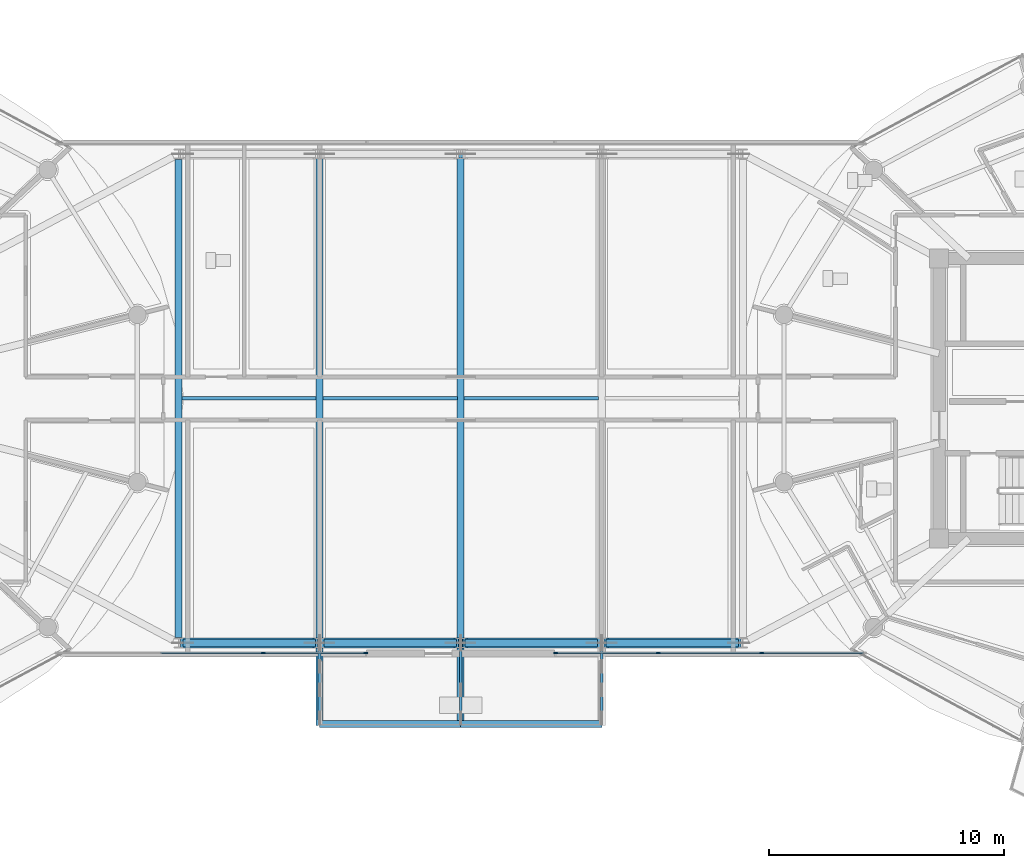
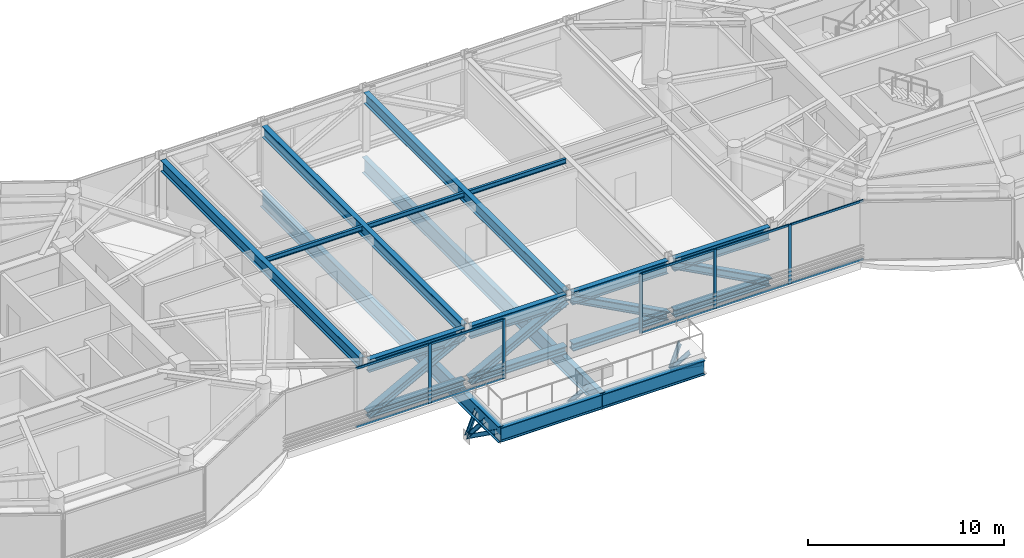
# One storey, part 6 of 31: 31 members, 14 beams, 2 elements without a shape of their own.
"""IFC4 building model written with IfcOpenShell, lengths in metres."""

from ifc_helpers import new_model, si_unit, direction, frame, origin, origin_2d, place, context, subcontext, project, spatial, rectangle, i_section, extrude, source, transform, mapped, material, layer, layer_set, material_profile, profile_set, type_object, type_shapes, element, aggregate, save


model = new_model("IFC4")

# Units and contexts
model_context = context("Model", 3, precision=1e-05, world=origin(), true_north=direction((0.0, 1.0)))
body_context = subcontext(model_context, "Body", "Model", "MODEL_VIEW")
ifc_project = project(units=[si_unit("LENGTHUNIT", "METRE"), si_unit("AREAUNIT", "SQUARE_METRE"), si_unit("VOLUMEUNIT", "CUBIC_METRE"), si_unit("PLANEANGLEUNIT", "RADIAN"), si_unit("MASSUNIT", "GRAM", prefix="KILO")], contexts=[model_context])

# Site, building, storey
site_placement = place(None, origin())
site = spatial("IfcSite", under=ifc_project, at=site_placement, CompositionType="ELEMENT")
building_placement = place(site_placement, origin())
building = spatial("IfcBuilding", under=site, at=building_placement, Name="Norrkilde Senior Care Towers", CompositionType="ELEMENT")
storey_placement = place(building_placement, frame((0.0, 0.0, 199.800048828125)))
storey = spatial("IfcBuildingStorey", under=building, at=storey_placement, Name="L62", CompositionType="ELEMENT", Elevation=199.800048828125)

# Beams
ifc_material_1 = material(Name="Steel S355", Category="steel")
ifc_material_profile_1 = material_profile(ifc_material_1, i_section(OverallWidth=0.300048828125, OverallDepth=0.699951171875, WebThickness=0.01708984375, FlangeThickness=0.031982421875, FilletRadius=0.027099609375, at=origin_2d()), Name="HEB 700")
ifc_profile_set_1 = profile_set([ifc_material_profile_1], Name="Steel S355")
beam_type_1 = type_object("IfcBeamType", Name="Bridge Cross Girder HEB700", PredefinedType="USERDEFINED", material=ifc_profile_set_1)
shared_shape_1 = source(origin(), body_context, "Body", "SweptSolid", [
    extrude(i_section(OverallWidth=0.300048828125, OverallDepth=0.699951171875, WebThickness=0.01708984375, FlangeThickness=0.031982421875, FilletRadius=0.027099609375, at=origin_2d()), origin(), (0.0, 0.0, 1.0), 20.31982421875),
])
beam_placement = place(storey_placement, frame((-12.0, -10.159912109375, 3.35986328125), z_axis=(0.0, 1.0, 0.0), x_axis=(-1.0, 0.0, 0.0)))
element("IfcBeam", 1, at=beam_placement, inside=storey, type_object=beam_type_1, Name="L62 Sky-Gate Bridge Cross Girder -12", ObjectType="GIRDER", PredefinedType="USERDEFINED", context=body_context, shape_type="MappedRepresentation", body=[
    mapped(shared_shape_1, transform((0.0, 0.0, 0.0), x_axis=(1.0, 0.0, 0.0), y_axis=(0.0, 1.0, 0.0), z_axis=(0.0, 0.0, 1.0), scale=1.0)),
])
shared_shape_2 = source(origin(), body_context, "Body", "SweptSolid", [
    extrude(i_section(OverallWidth=0.300048828125, OverallDepth=0.699951171875, WebThickness=0.01708984375, FlangeThickness=0.031982421875, FilletRadius=0.027099609375, at=origin_2d()), origin(), (0.0, 0.0, 1.0), 20.43994140625),
])
type_shapes(beam_type_1, [shared_shape_1, shared_shape_2])
for number, where, z_axis, x_axis, name in (
    (2, (-6.0, -10.219970703125, 3.35986328125), (0.0, 1.0, 0.0), (-1.0, 0.0, 0.0), "L62 Sky-Gate Bridge Cross Girder -6"),
    (3, (0.0, -10.219970703125, 3.35986328125), (0.0, 1.0, 0.0), (-1.0, 0.0, 0.0), "L62 Sky-Gate Bridge Cross Girder +0"),
):
    element("IfcBeam", number, at=place(storey_placement, frame(where, z_axis=z_axis, x_axis=x_axis)), inside=storey, type_object=beam_type_1, Name=name, ObjectType="GIRDER", PredefinedType="USERDEFINED", context=body_context, shape_type="MappedRepresentation", body=[
        mapped(shared_shape_2, transform((0.0, 0.0, 0.0), x_axis=(1.0, 0.0, 0.0), y_axis=(0.0, 1.0, 0.0), z_axis=(0.0, 0.0, 1.0), scale=1.0)),
    ])
ifc_material_profile_2 = material_profile(ifc_material_1, i_section(OverallWidth=0.300048828125, OverallDepth=0.800048828125, WebThickness=0.017578125, FlangeThickness=0.032958984375, FilletRadius=0.030029296875, at=origin_2d()), Name="HEB 800")
ifc_profile_set_2 = profile_set([ifc_material_profile_2], Name="Steel S355")
beam_type_2 = type_object("IfcBeamType", Name="Bridge Floor Girder HEB800", PredefinedType="USERDEFINED", material=ifc_profile_set_2)
shared_shape_3 = source(origin(), body_context, "Body", "SweptSolid", [
    extrude(i_section(OverallWidth=0.300048828125, OverallDepth=0.800048828125, WebThickness=0.017578125, FlangeThickness=0.032958984375, FilletRadius=0.030029296875, at=origin_2d()), origin(), (0.0, 0.0, 1.0), 5.64013671875),
])
type_shapes(beam_type_2, [shared_shape_3])
for number, where, z_axis, x_axis, name in (
    (4, (-11.820068359375, -10.39990234375, 3.31005859375), (1.0, 0.0, 0.0), (0.0, 1.0, 0.0), "L62 Sky-Gate Bridge Girder S2"),
    (5, (-5.820068359375, -10.39990234375, 3.31005859375), (1.0, 0.0, 0.0), (0.0, 1.0, 0.0), "L62 Sky-Gate Bridge Girder S3"),
    (6, (0.179931640625, -10.39990234375, 3.31005859375), (1.0, 0.0, 0.0), (0.0, 1.0, 0.0), "L62 Sky-Gate Bridge Girder S4"),
    (7, (6.179931640625, -10.39990234375, 3.31005859375), (1.0, 0.0, 0.0), (0.0, 1.0, 0.0), "L62 Sky-Gate Bridge Girder S5"),
):
    element("IfcBeam", number, at=place(storey_placement, frame(where, z_axis=z_axis, x_axis=x_axis)), inside=storey, type_object=beam_type_2, Name=name, ObjectType="GIRDER", PredefinedType="USERDEFINED", context=body_context, shape_type="MappedRepresentation", body=[
        mapped(shared_shape_3, transform((0.0, 0.0, 0.0), x_axis=(1.0, 0.0, 0.0), y_axis=(0.0, 1.0, 0.0), z_axis=(0.0, 0.0, 1.0), scale=1.0)),
    ])

# Members
ifc_material_profile_3 = material_profile(ifc_material_1, i_section(OverallWidth=0.4169921875, OverallDepth=0.465087890625, WebThickness=0.031982421875, FlangeThickness=0.050048828125, FilletRadius=0.014892578125, at=origin_2d()), Name="HD 400x592")
ifc_profile_set_3 = profile_set([ifc_material_profile_3], Name="Steel S355")
member_type_1 = type_object("IfcMemberType", Name="Pratt Bridge Truss Chord HD400x592", PredefinedType="CHORD", material=ifc_profile_set_3)
shared_shape_4 = source(origin(), body_context, "Body", "SweptSolid", [
    extrude(i_section(OverallWidth=0.4169921875, OverallDepth=0.465087890625, WebThickness=0.031982421875, FlangeThickness=0.050048828125, FilletRadius=0.014892578125, at=origin_2d()), origin(), (0.0, 0.0, 1.0), 5.64013671875),
])
type_shapes(member_type_1, [shared_shape_4])
for number, where, z_axis, x_axis, name in (
    (8, (-11.820068359375, -10.39990234375, 0.300048828125), (1.0, 0.0, 0.0), (0.0, 1.0, 0.0), "L62 Sky-Gate Pratt Truss Bottom Chord S2"),
    (9, (-5.820068359375, -10.39990234375, 0.300048828125), (1.0, 0.0, 0.0), (0.0, 1.0, 0.0), "L62 Sky-Gate Pratt Truss Bottom Chord S3"),
    (10, (0.179931640625, -10.39990234375, 0.300048828125), (1.0, 0.0, 0.0), (0.0, 1.0, 0.0), "L62 Sky-Gate Pratt Truss Bottom Chord S4"),
    (11, (6.179931640625, -10.39990234375, 0.300048828125), (1.0, 0.0, 0.0), (0.0, 1.0, 0.0), "L62 Sky-Gate Pratt Truss Bottom Chord S5"),
):
    element("IfcMember", number, at=place(storey_placement, frame(where, z_axis=z_axis, x_axis=x_axis)), inside=storey, type_object=member_type_1, Name=name, PredefinedType="CHORD", context=body_context, shape_type="MappedRepresentation", body=[
        mapped(shared_shape_4, transform((0.0, 0.0, 0.0), x_axis=(1.0, 0.0, 0.0), y_axis=(0.0, 1.0, 0.0), z_axis=(0.0, 0.0, 1.0), scale=1.0)),
    ])
ifc_material_profile_4 = material_profile(ifc_material_1, i_section(OverallWidth=0.412109375, OverallDepth=0.449951171875, WebThickness=0.028076171875, FlangeThickness=0.044921875, FilletRadius=0.014892578125, at=origin_2d()), Name="HD 400x509")
ifc_profile_set_4 = profile_set([ifc_material_profile_4], Name="Steel S355")
member_type_2 = type_object("IfcMemberType", Name="Pratt Bridge Truss Diagonal HD400x509", PredefinedType="BRACE", material=ifc_profile_set_4)
shared_shape_5 = source(origin(), body_context, "Body", "SweptSolid", [
    extrude(i_section(OverallWidth=0.412109375, OverallDepth=0.449951171875, WebThickness=0.028076171875, FlangeThickness=0.044921875, FilletRadius=0.014892578125, at=origin_2d()), origin(), (0.0, 0.0, 1.0), 6.39306640625),
])
type_shapes(member_type_2, [shared_shape_5])
for number, where, z_axis, x_axis, name in (
    (12, (-11.820068359375, -10.39990234375, 0.300048828125), (0.882227112754, 0.0, 0.470824087661), (0.0, 1.0, 0.0), "L62 Sky-Gate Pratt Truss Diagonal S2"),
    (13, (-5.820068359375, -10.39990234375, 0.300048828125), (0.882227112754, 0.0, 0.470824087661), (0.0, 1.0, 0.0), "L62 Sky-Gate Pratt Truss Diagonal S3"),
    (14, (5.820068359375, -10.39990234375, 0.300048828125), (-0.882227112754, 0.0, 0.470824087661), (0.0, -1.0, 0.0), "L62 Sky-Gate Pratt Truss Diagonal S4"),
    (15, (11.820068359375, -10.39990234375, 0.300048828125), (-0.882227112754, 0.0, 0.470824087661), (0.0, -1.0, 0.0), "L62 Sky-Gate Pratt Truss Diagonal S5"),
):
    element("IfcMember", number, at=place(storey_placement, frame(where, z_axis=z_axis, x_axis=x_axis)), inside=storey, type_object=member_type_2, Name=name, PredefinedType="BRACE", context=body_context, shape_type="MappedRepresentation", body=[
        mapped(shared_shape_5, transform((0.0, 0.0, 0.0), x_axis=(1.0, 0.0, 0.0), y_axis=(0.0, 1.0, 0.0), z_axis=(0.0, 0.0, 1.0), scale=1.0)),
    ])

# Beams
ifc_material_profile_5 = material_profile(ifc_material_1, i_section(OverallWidth=0.14990234375, OverallDepth=0.300048828125, WebThickness=0.007080078125, FlangeThickness=0.0107421875, FilletRadius=0.014892578125, at=origin_2d()), Name="IPE 300")
ifc_profile_set_5 = profile_set([ifc_material_profile_5], Name="Steel S355")
beam_type_3 = type_object("IfcBeamType", Name="Bridge Deck Joist IPE300", PredefinedType="JOIST", material=ifc_profile_set_5)
shared_shape_6 = source(origin(), body_context, "Body", "SweptSolid", [
    extrude(i_section(OverallWidth=0.14990234375, OverallDepth=0.300048828125, WebThickness=0.007080078125, FlangeThickness=0.0107421875, FilletRadius=0.014892578125, at=origin_2d()), origin(), (0.0, 0.0, 1.0), 5.7099609375),
])
type_shapes(beam_type_3, [shared_shape_6])
for number, where, z_axis, x_axis, name in (
    (16, (-11.85498046875, 0.0, 3.56005859375), (1.0, 0.0, 0.0), (0.0, 1.0, 0.0), "L62 Bridge Deck Joist 1"),
    (17, (-5.85498046875, 0.0, 3.56005859375), (1.0, 0.0, 0.0), (0.0, 1.0, 0.0), "L62 Bridge Deck Joist 2"),
    (18, (0.14501953125, 0.0, 3.56005859375), (1.0, 0.0, 0.0), (0.0, 1.0, 0.0), "L62 Bridge Deck Joist 3"),
):
    element("IfcBeam", number, at=place(storey_placement, frame(where, z_axis=z_axis, x_axis=x_axis)), inside=storey, type_object=beam_type_3, Name=name, PredefinedType="JOIST", context=body_context, shape_type="MappedRepresentation", body=[
        mapped(shared_shape_6, transform((0.0, 0.0, 0.0), x_axis=(1.0, 0.0, 0.0), y_axis=(0.0, 1.0, 0.0), z_axis=(0.0, 0.0, 1.0), scale=1.0)),
    ])
ifc_material_profile_6 = material_profile(ifc_material_1, i_section(OverallWidth=0.300048828125, OverallDepth=1.0, WebThickness=0.01904296875, FlangeThickness=0.035888671875, FilletRadius=0.030029296875, at=origin_2d()), Name="HEB 1000")
ifc_profile_set_6 = profile_set([ifc_material_profile_6], Name="Steel S355")
beam_type_4 = type_object("IfcBeamType", Name="Sky Pool Cantilever Girder HEB1000", PredefinedType="USERDEFINED", material=ifc_profile_set_6)
shared_shape_7 = source(origin(), body_context, "Body", "SweptSolid", [
    extrude(i_section(OverallWidth=0.300048828125, OverallDepth=1.0, WebThickness=0.01904296875, FlangeThickness=0.035888671875, FilletRadius=0.030029296875, at=origin_2d()), origin(), (0.0, 0.0, 1.0), 24.2998046875),
])
type_shapes(beam_type_4, [shared_shape_7])
for number, where, z_axis, x_axis, name in (
    (19, (-6.0, 10.39990234375, -0.920166015625), (0.0, -1.0, 0.0), (1.0, 0.0, 0.0), "L62 Sky Pool Cantilever Girder 1"),
    (20, (0.0, 10.39990234375, -0.920166015625), (0.0, -1.0, 0.0), (1.0, 0.0, 0.0), "L62 Sky Pool Cantilever Girder 2"),
):
    element("IfcBeam", number, at=place(storey_placement, frame(where, z_axis=z_axis, x_axis=x_axis)), inside=storey, type_object=beam_type_4, Name=name, ObjectType="GIRDER", PredefinedType="USERDEFINED", context=body_context, shape_type="MappedRepresentation", body=[
        mapped(shared_shape_7, transform((0.0, 0.0, 0.0), x_axis=(1.0, 0.0, 0.0), y_axis=(0.0, 1.0, 0.0), z_axis=(0.0, 0.0, 1.0), scale=1.0)),
    ])

# Members
ifc_material_profile_7 = material_profile(ifc_material_1, i_section(OverallWidth=0.1201171875, OverallDepth=0.239990234375, WebThickness=0.006103515625, FlangeThickness=0.009765625, FilletRadius=0.014892578125, at=origin_2d()), Name="IPE 240")
ifc_profile_set_7 = profile_set([ifc_material_profile_7], Name="Steel S355")
member_type_3 = type_object("IfcMemberType", Name="Sky Pool Rake Strut IPE240", PredefinedType="STRUT", material=ifc_profile_set_7)
shared_shape_8 = source(origin(), body_context, "Body", "SweptSolid", [
    extrude(i_section(OverallWidth=0.1201171875, OverallDepth=0.239990234375, WebThickness=0.006103515625, FlangeThickness=0.009765625, FilletRadius=0.014892578125, at=origin_2d()), origin(), (0.0, 0.0, 1.0), 3.92919921875),
])
for number, where, z_axis, x_axis, name in (
    (21, (-6.0, -10.39990234375, -3.199951171875), (0.0, -0.8144633326, 0.580215028976), (1.0, 0.0, 0.0), "L62 Sky Pool Rake Strut 1A"),
    (22, (0.0, -10.39990234375, -3.199951171875), (0.0, -0.8144633326, 0.580215028976), (1.0, 0.0, 0.0), "L62 Sky Pool Rake Strut 2A"),
    (23, (6.0, -10.39990234375, -3.199951171875), (0.0, -0.8144633326, 0.580215028976), (1.0, 0.0, 0.0), "L62 Sky Pool Rake Strut 3A"),
):
    element("IfcMember", number, at=place(storey_placement, frame(where, z_axis=z_axis, x_axis=x_axis)), inside=storey, type_object=member_type_3, Name=name, PredefinedType="STRUT", context=body_context, shape_type="MappedRepresentation", body=[
        mapped(shared_shape_8, transform((0.0, 0.0, 0.0), x_axis=(1.0, 0.0, 0.0), y_axis=(0.0, 1.0, 0.0), z_axis=(0.0, 0.0, 1.0), scale=1.0)),
    ])
shared_shape_9 = source(origin(), body_context, "Body", "SweptSolid", [
    extrude(i_section(OverallWidth=0.1201171875, OverallDepth=0.239990234375, WebThickness=0.006103515625, FlangeThickness=0.009765625, FilletRadius=0.014892578125, at=origin_2d()), origin(), (0.0, 0.0, 1.0), 3.03271484375),
])
for number, where, z_axis, x_axis, name in (
    (24, (-6.0, -10.39990234375, -3.199951171875), (0.0, -0.659472936598, 0.751728305902), (1.0, 0.0, 0.0), "L62 Sky Pool Rake Strut 1B"),
    (25, (0.0, -10.39990234375, -3.199951171875), (0.0, -0.659472936598, 0.751728305902), (1.0, 0.0, 0.0), "L62 Sky Pool Rake Strut 2B"),
    (26, (6.0, -10.39990234375, -3.199951171875), (0.0, -0.659472936598, 0.751728305902), (1.0, 0.0, 0.0), "L62 Sky Pool Rake Strut 3B"),
):
    element("IfcMember", number, at=place(storey_placement, frame(where, z_axis=z_axis, x_axis=x_axis)), inside=storey, type_object=member_type_3, Name=name, PredefinedType="STRUT", context=body_context, shape_type="MappedRepresentation", body=[
        mapped(shared_shape_9, transform((0.0, 0.0, 0.0), x_axis=(1.0, 0.0, 0.0), y_axis=(0.0, 1.0, 0.0), z_axis=(0.0, 0.0, 1.0), scale=1.0)),
    ])
shared_shape_10 = source(origin(), body_context, "Body", "SweptSolid", [
    extrude(i_section(OverallWidth=0.1201171875, OverallDepth=0.239990234375, WebThickness=0.006103515625, FlangeThickness=0.009765625, FilletRadius=0.014892578125, at=origin_2d()), origin(), (0.0, 0.0, 1.0), 2.489501953125),
])
type_shapes(member_type_3, [shared_shape_8, shared_shape_9, shared_shape_10])
for number, where, z_axis, x_axis, name in (
    (27, (-6.0, -10.39990234375, -3.199951171875), (0.0, -0.401693239636, 0.915774285089), (1.0, 0.0, 0.0), "L62 Sky Pool Mid Strut 1"),
    (28, (6.0, -10.39990234375, -3.199951171875), (0.0, -0.401693239636, 0.915774285089), (1.0, 0.0, 0.0), "L62 Sky Pool Mid Strut 2"),
):
    element("IfcMember", number, at=place(storey_placement, frame(where, z_axis=z_axis, x_axis=x_axis)), inside=storey, type_object=member_type_3, Name=name, PredefinedType="STRUT", context=body_context, shape_type="MappedRepresentation", body=[
        mapped(shared_shape_10, transform((0.0, 0.0, 0.0), x_axis=(1.0, 0.0, 0.0), y_axis=(0.0, 1.0, 0.0), z_axis=(0.0, 0.0, 1.0), scale=1.0)),
    ])

# Beams
ifc_material_profile_8 = material_profile(ifc_material_1, i_section(OverallWidth=0.300048828125, OverallDepth=0.89990234375, WebThickness=0.0185546875, FlangeThickness=0.034912109375, FilletRadius=0.030029296875, at=origin_2d()), Name="HEB 900")
ifc_profile_set_8 = profile_set([ifc_material_profile_8], Name="Steel S355")
beam_type_5 = type_object("IfcBeamType", Name="Damper Plinth Girder HEB900", PredefinedType="USERDEFINED", material=ifc_profile_set_8)
shared_shape_11 = source(origin(), body_context, "Body", "SweptSolid", [
    extrude(i_section(OverallWidth=0.300048828125, OverallDepth=0.89990234375, WebThickness=0.0185546875, FlangeThickness=0.034912109375, FilletRadius=0.030029296875, at=origin_2d()), origin(), (0.0, 0.0, 1.0), 6.0),
])
type_shapes(beam_type_5, [shared_shape_11])
for number, where, z_axis, x_axis, name in (
    (29, (-6.0, -13.85009765625, -0.920166015625), (1.0, 0.0, 0.0), (0.0, 1.0, 0.0), "L62 Sky Pool Outer Rim Girder W"),
    (30, (0.0, -13.85009765625, -0.920166015625), (1.0, 0.0, 0.0), (0.0, 1.0, 0.0), "L62 Sky Pool Outer Rim Girder E"),
):
    element("IfcBeam", number, at=place(storey_placement, frame(where, z_axis=z_axis, x_axis=x_axis)), inside=storey, type_object=beam_type_5, Name=name, ObjectType="GIRDER", PredefinedType="USERDEFINED", context=body_context, shape_type="MappedRepresentation", body=[
        mapped(shared_shape_11, transform((0.0, 0.0, 0.0), x_axis=(1.0, 0.0, 0.0), y_axis=(0.0, 1.0, 0.0), z_axis=(0.0, 0.0, 1.0), scale=1.0)),
    ])

# Curtain wall, members
ifc_material_2 = material(Name="Triple Low-E Insulated Glazing", Category="glass")
ifc_layer = layer(ifc_material_2, 0.2099609375)
ifc_layer_set = layer_set([ifc_layer], Name="Triple Low-E Insulated Glazing")
curtain_wall_type = type_object("IfcCurtainWallType", Name="CW5 Sky-Gate Bridge Curtain Wall", PredefinedType="NOTDEFINED", material=ifc_layer_set)
curtain_wall_1_placement = place(storey_placement, origin())
curtain_wall_1 = element("IfcCurtainWall", 31, at=curtain_wall_1_placement, inside=storey, type_object=curtain_wall_type, Name="L62 Sky-Gate Bridge South Curtain Wall 1", PredefinedType="NOTDEFINED")
ifc_material_3 = material(Name="Anodised Aluminium", Category="aluminium")
ifc_material_profile_9 = material_profile(ifc_material_3, rectangle(XDim=0.070068359375, YDim=0.169921875, at=origin_2d()), Name="ALU MULL 70x170")
ifc_profile_set_9 = profile_set([ifc_material_profile_9], Name="Anodised Aluminium")
member_type_4 = type_object("IfcMemberType", Name="Curtain Wall Mullion Heavy 70x170", PredefinedType="MULLION", material=ifc_profile_set_9)
shared_shape_12 = source(origin(), body_context, "Body", "SweptSolid", [
    extrude(rectangle(XDim=0.070068359375, YDim=0.169921875, at=origin_2d()), origin(), (0.0, 0.0, 1.0), 3.7099609375),
])
type_shapes(member_type_4, [shared_shape_12])
member_1_placement = place(storey_placement, frame((12.800048828125, -10.820068359375, 0.0), z_axis=(0.0, 0.0, 1.0), x_axis=(0.0, -1.0, 0.0)))
member_1 = element("IfcMember", 32, at=member_1_placement, type_object=member_type_4, Name="CW-5 mullion 2", PredefinedType="MULLION", context=body_context, shape_type="MappedRepresentation", body=[
    mapped(shared_shape_12, transform((0.0, 0.0, 0.0), x_axis=(1.0, 0.0, 0.0), y_axis=(0.0, 1.0, 0.0), z_axis=(0.0, 0.0, 1.0), scale=1.0)),
])
member_2_placement = place(storey_placement, frame((8.39990234375, -10.820068359375, 0.0), z_axis=(0.0, 0.0, 1.0), x_axis=(0.0, -1.0, 0.0)))
member_2 = element("IfcMember", 33, at=member_2_placement, type_object=member_type_4, Name="CW-5 mullion 3", PredefinedType="MULLION", context=body_context, shape_type="MappedRepresentation", body=[
    mapped(shared_shape_12, transform((0.0, 0.0, 0.0), x_axis=(1.0, 0.0, 0.0), y_axis=(0.0, 1.0, 0.0), z_axis=(0.0, 0.0, 1.0), scale=1.0)),
])
member_3_placement = place(storey_placement, frame((4.034912109375, -10.820068359375, 0.0), z_axis=(0.0, 0.0, 1.0), x_axis=(0.0, -1.0, 0.0)))
member_3 = element("IfcMember", 34, at=member_3_placement, type_object=member_type_4, Name="CW-5 mullion 4", PredefinedType="MULLION", context=body_context, shape_type="MappedRepresentation", body=[
    mapped(shared_shape_12, transform((0.0, 0.0, 0.0), x_axis=(1.0, 0.0, 0.0), y_axis=(0.0, 1.0, 0.0), z_axis=(0.0, 0.0, 1.0), scale=1.0)),
])

curtain_wall_2_placement = place(storey_placement, origin())
curtain_wall_2 = element("IfcCurtainWall", 35, at=curtain_wall_2_placement, inside=storey, type_object=curtain_wall_type, Name="L62 Sky-Gate Bridge South Curtain Wall 3", PredefinedType="NOTDEFINED")
member_4_placement = place(storey_placement, frame((-4.034912109375, -10.820068359375, 0.0), z_axis=(0.0, 0.0, 1.0), x_axis=(0.0, -1.0, 0.0)))
member_4 = element("IfcMember", 36, at=member_4_placement, type_object=member_type_4, Name="CW-5 mullion 1", PredefinedType="MULLION", context=body_context, shape_type="MappedRepresentation", body=[
    mapped(shared_shape_12, transform((0.0, 0.0, 0.0), x_axis=(1.0, 0.0, 0.0), y_axis=(0.0, 1.0, 0.0), z_axis=(0.0, 0.0, 1.0), scale=1.0)),
])
member_5_placement = place(storey_placement, frame((-8.39990234375, -10.820068359375, 0.0), z_axis=(0.0, 0.0, 1.0), x_axis=(0.0, -1.0, 0.0)))
member_5 = element("IfcMember", 37, at=member_5_placement, type_object=member_type_4, Name="CW-5 mullion 2", PredefinedType="MULLION", context=body_context, shape_type="MappedRepresentation", body=[
    mapped(shared_shape_12, transform((0.0, 0.0, 0.0), x_axis=(1.0, 0.0, 0.0), y_axis=(0.0, 1.0, 0.0), z_axis=(0.0, 0.0, 1.0), scale=1.0)),
])

# Member
ifc_material_profile_10 = material_profile(ifc_material_3, rectangle(XDim=0.06494140625, YDim=0.1298828125, at=origin_2d()), Name="ALU TRAN 65x130")
ifc_profile_set_10 = profile_set([ifc_material_profile_10], Name="Anodised Aluminium")
member_type_5 = type_object("IfcMemberType", Name="Curtain Wall Transom Heavy 65x130", PredefinedType="USERDEFINED", material=ifc_profile_set_10)
shared_shape_13 = source(origin(), body_context, "Body", "SweptSolid", [
    extrude(rectangle(XDim=0.06494140625, YDim=0.1298828125, at=origin_2d()), origin(), (0.0, 0.0, 1.0), 4.294921875),
])
member_6_placement = place(storey_placement, frame((17.1298828125, -10.820068359375, 0.032470703125), z_axis=(-1.0, 0.0, 0.0), x_axis=(0.0, -1.0, 0.0)))
member_6 = element("IfcMember", 38, at=member_6_placement, type_object=member_type_5, Name="CW-5 transom 1.1", ObjectType="TRANSOM", PredefinedType="USERDEFINED", context=body_context, shape_type="MappedRepresentation", body=[
    mapped(shared_shape_13, transform((0.0, 0.0, 0.0), x_axis=(1.0, 0.0, 0.0), y_axis=(0.0, 1.0, 0.0), z_axis=(0.0, 0.0, 1.0), scale=1.0)),
])

member_7_placement = place(storey_placement, frame((17.1298828125, -10.820068359375, 3.677490234375), z_axis=(-1.0, 0.0, 0.0), x_axis=(0.0, -1.0, 0.0)))
member_7 = element("IfcMember", 39, at=member_7_placement, type_object=member_type_5, Name="CW-5 transom 1.2", ObjectType="TRANSOM", PredefinedType="USERDEFINED", context=body_context, shape_type="MappedRepresentation", body=[
    mapped(shared_shape_13, transform((0.0, 0.0, 0.0), x_axis=(1.0, 0.0, 0.0), y_axis=(0.0, 1.0, 0.0), z_axis=(0.0, 0.0, 1.0), scale=1.0)),
])

member_8_placement = place(storey_placement, frame((8.364990234375, -10.820068359375, 0.032470703125), z_axis=(-1.0, 0.0, 0.0), x_axis=(0.0, -1.0, 0.0)))
member_8 = element("IfcMember", 40, at=member_8_placement, type_object=member_type_5, Name="CW-5 transom 3.1", ObjectType="TRANSOM", PredefinedType="USERDEFINED", context=body_context, shape_type="MappedRepresentation", body=[
    mapped(shared_shape_13, transform((0.0, 0.0, 0.0), x_axis=(1.0, 0.0, 0.0), y_axis=(0.0, 1.0, 0.0), z_axis=(0.0, 0.0, 1.0), scale=1.0)),
])

member_9_placement = place(storey_placement, frame((8.364990234375, -10.820068359375, 3.677490234375), z_axis=(-1.0, 0.0, 0.0), x_axis=(0.0, -1.0, 0.0)))
member_9 = element("IfcMember", 41, at=member_9_placement, type_object=member_type_5, Name="CW-5 transom 3.2", ObjectType="TRANSOM", PredefinedType="USERDEFINED", context=body_context, shape_type="MappedRepresentation", body=[
    mapped(shared_shape_13, transform((0.0, 0.0, 0.0), x_axis=(1.0, 0.0, 0.0), y_axis=(0.0, 1.0, 0.0), z_axis=(0.0, 0.0, 1.0), scale=1.0)),
])

member_10_placement = place(storey_placement, frame((-4.070068359375, -10.820068359375, 0.032470703125), z_axis=(-1.0, 0.0, 0.0), x_axis=(0.0, -1.0, 0.0)))
member_10 = element("IfcMember", 42, at=member_10_placement, type_object=member_type_5, Name="CW-5 transom 1.1", ObjectType="TRANSOM", PredefinedType="USERDEFINED", context=body_context, shape_type="MappedRepresentation", body=[
    mapped(shared_shape_13, transform((0.0, 0.0, 0.0), x_axis=(1.0, 0.0, 0.0), y_axis=(0.0, 1.0, 0.0), z_axis=(0.0, 0.0, 1.0), scale=1.0)),
])

member_11_placement = place(storey_placement, frame((-4.070068359375, -10.820068359375, 3.677490234375), z_axis=(-1.0, 0.0, 0.0), x_axis=(0.0, -1.0, 0.0)))
member_11 = element("IfcMember", 43, at=member_11_placement, type_object=member_type_5, Name="CW-5 transom 1.2", ObjectType="TRANSOM", PredefinedType="USERDEFINED", context=body_context, shape_type="MappedRepresentation", body=[
    mapped(shared_shape_13, transform((0.0, 0.0, 0.0), x_axis=(1.0, 0.0, 0.0), y_axis=(0.0, 1.0, 0.0), z_axis=(0.0, 0.0, 1.0), scale=1.0)),
])

shared_shape_14 = source(origin(), body_context, "Body", "SweptSolid", [
    extrude(rectangle(XDim=0.06494140625, YDim=0.1298828125, at=origin_2d()), origin(), (0.0, 0.0, 1.0), 4.329833984375),
])
type_shapes(member_type_5, [shared_shape_13, shared_shape_14])
member_12_placement = place(storey_placement, frame((12.764892578125, -10.820068359375, 0.032470703125), z_axis=(-1.0, 0.0, 0.0), x_axis=(0.0, -1.0, 0.0)))
member_12 = element("IfcMember", 44, at=member_12_placement, type_object=member_type_5, Name="CW-5 transom 2.1", ObjectType="TRANSOM", PredefinedType="USERDEFINED", context=body_context, shape_type="MappedRepresentation", body=[
    mapped(shared_shape_14, transform((0.0, 0.0, 0.0), x_axis=(1.0, 0.0, 0.0), y_axis=(0.0, 1.0, 0.0), z_axis=(0.0, 0.0, 1.0), scale=1.0)),
])

member_13_placement = place(storey_placement, frame((12.764892578125, -10.820068359375, 3.677490234375), z_axis=(-1.0, 0.0, 0.0), x_axis=(0.0, -1.0, 0.0)))
member_13 = element("IfcMember", 45, at=member_13_placement, type_object=member_type_5, Name="CW-5 transom 2.2", ObjectType="TRANSOM", PredefinedType="USERDEFINED", context=body_context, shape_type="MappedRepresentation", body=[
    mapped(shared_shape_14, transform((0.0, 0.0, 0.0), x_axis=(1.0, 0.0, 0.0), y_axis=(0.0, 1.0, 0.0), z_axis=(0.0, 0.0, 1.0), scale=1.0)),
])

aggregate(curtain_wall_1, [member_1, member_2, member_3, member_6, member_7, member_12, member_13, member_8, member_9])

member_14_placement = place(storey_placement, frame((-8.43505859375, -10.820068359375, 0.032470703125), z_axis=(-1.0, 0.0, 0.0), x_axis=(0.0, -1.0, 0.0)))
member_14 = element("IfcMember", 46, at=member_14_placement, type_object=member_type_5, Name="CW-5 transom 2.1", ObjectType="TRANSOM", PredefinedType="USERDEFINED", context=body_context, shape_type="MappedRepresentation", body=[
    mapped(shared_shape_14, transform((0.0, 0.0, 0.0), x_axis=(1.0, 0.0, 0.0), y_axis=(0.0, 1.0, 0.0), z_axis=(0.0, 0.0, 1.0), scale=1.0)),
])

member_15_placement = place(storey_placement, frame((-8.43505859375, -10.820068359375, 3.677490234375), z_axis=(-1.0, 0.0, 0.0), x_axis=(0.0, -1.0, 0.0)))
member_15 = element("IfcMember", 47, at=member_15_placement, type_object=member_type_5, Name="CW-5 transom 2.2", ObjectType="TRANSOM", PredefinedType="USERDEFINED", context=body_context, shape_type="MappedRepresentation", body=[
    mapped(shared_shape_14, transform((0.0, 0.0, 0.0), x_axis=(1.0, 0.0, 0.0), y_axis=(0.0, 1.0, 0.0), z_axis=(0.0, 0.0, 1.0), scale=1.0)),
])

aggregate(curtain_wall_2, [member_4, member_5, member_10, member_11, member_14, member_15])

save(model, "model.ifc")
